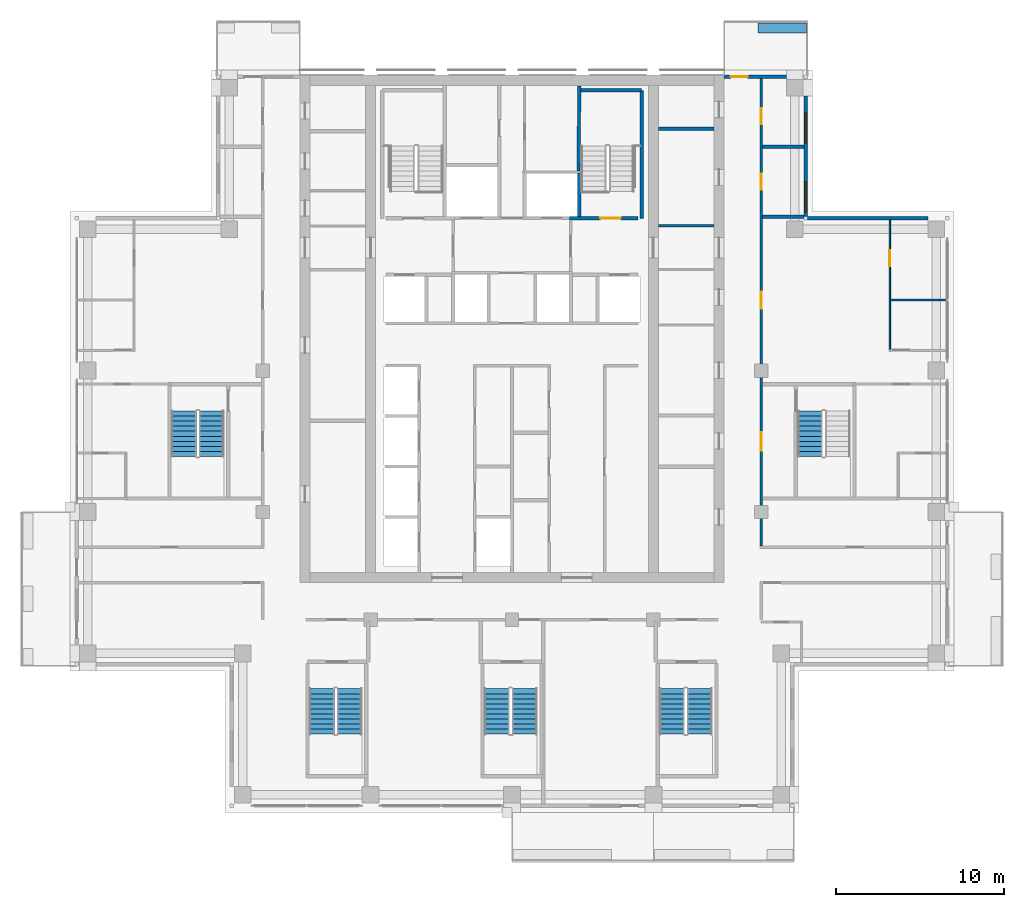
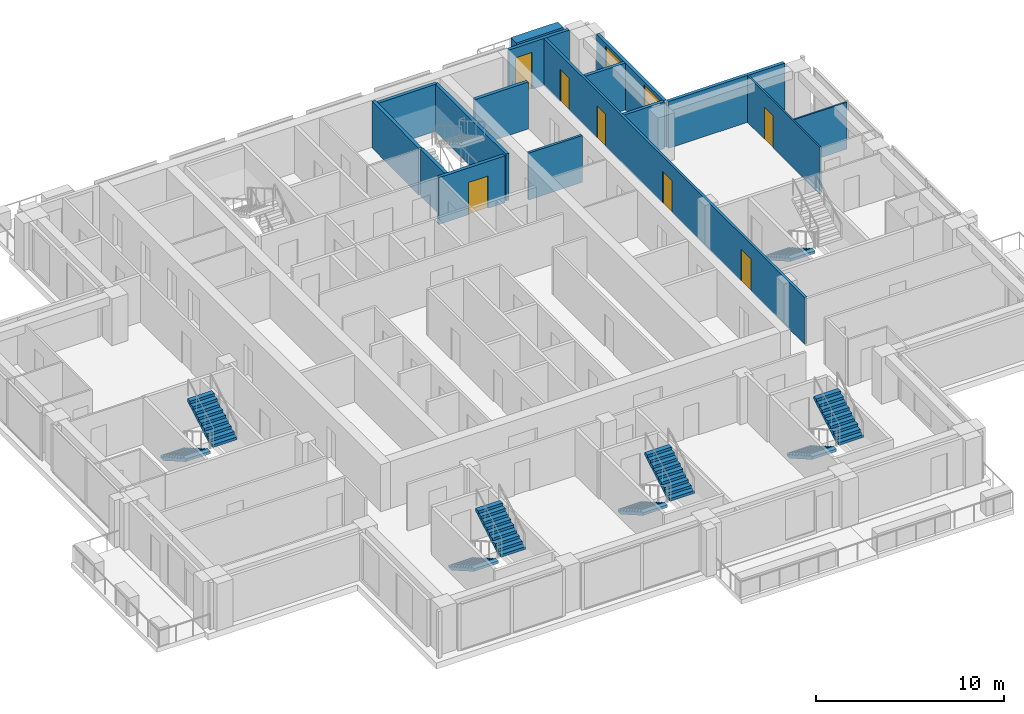
# One storey, part 13 of 17: 16 walls, 9 stair flights, 7 doors, 2 windows, 9 openings, 5 elements without a shape of their own.
"""IFC4 building model written with IfcOpenShell, lengths in metres."""

from ifc_helpers import new_model, si_unit, direction, frame, frame_2d, origin, place, context, subcontext, project, spatial, polyline, rectangle, outline, extrude, material, layer, layer_set, type_object, element, fill, aggregate, save


model = new_model("IFC4")

# Units and contexts
model_context = context("Model", 3, precision=1e-05, world=origin(), true_north=direction((0.0, 1.0)))
body_context = subcontext(model_context, "Body", "Model", "MODEL_VIEW")
ifc_project = project(units=[si_unit("LENGTHUNIT", "METRE"), si_unit("AREAUNIT", "SQUARE_METRE"), si_unit("VOLUMEUNIT", "CUBIC_METRE"), si_unit("PLANEANGLEUNIT", "RADIAN"), si_unit("MASSUNIT", "GRAM", prefix="KILO")], contexts=[model_context])

# Site, building, storey
site_placement = place(None, origin())
site = spatial("IfcSite", under=ifc_project, at=site_placement, CompositionType="ELEMENT")
building_placement = place(site_placement, origin())
building = spatial("IfcBuilding", under=site, at=building_placement, Name="Vermilion Ogive Tower", CompositionType="ELEMENT")
storey_placement = place(building_placement, frame((0.0, 0.0, 189.35009765625)))
storey = spatial("IfcBuildingStorey", under=building, at=storey_placement, Name="L49", CompositionType="ELEMENT", Elevation=189.35009765625)

# Wall
ifc_material_1 = material(Name="Gypsum board partition on steel studs", Category="steel")
ifc_layer_1 = layer(ifc_material_1, 0.10009765625)
ifc_layer_set_1 = layer_set([ifc_layer_1], Name="Partition 100 inner")
wall_type_1 = type_object("IfcWallType", Name="Partition 100 inner", PredefinedType="PARTITIONING", material=ifc_layer_set_1)
wall_1_placement = place(storey_placement, frame((22.5, 8.39990234375, 0.0), z_axis=(0.0, 0.0, 1.0), x_axis=(1.0, 0.0, 0.0)))
element("IfcWall", 1, at=wall_1_placement, inside=storey, type_object=wall_type_1, Name="L49-W-W024", PredefinedType="PARTITIONING", context=body_context, shape_type="SweptSolid", body=[
    extrude(rectangle(XDim=3.25, YDim=0.10009765625, at=frame_2d((1.625, 0.0))), origin(), (0.0, 0.0, 1.0), 3.0498046875),
])

# Wall, opening, door
wall_2_placement = place(storey_placement, frame((22.449951171875, 5.449951171875, 0.0), z_axis=(0.0, 0.0, 1.0), x_axis=(0.0, 1.0, 0.0)))
wall_2 = element("IfcWall", 2, at=wall_2_placement, inside=storey, type_object=wall_type_1, Name="L49-W-W046", PredefinedType="PARTITIONING", context=body_context, shape_type="SweptSolid", body=[
    extrude(rectangle(XDim=7.699951171875, YDim=0.10009765625, at=frame_2d((3.85009765625, 0.0))), origin(), (0.0, 0.0, 1.0), 3.0498046875),
])
opening_1_placement = place(wall_2_placement, frame((4.949951171875, 0.0, 0.0)))
opening_1 = element("IfcOpeningElement", 3, at=opening_1_placement, cuts=wall_2, Name="Opening D4G2014", PredefinedType="OPENING", context=body_context, shape_type="SweptSolid", body=[
    extrude(rectangle(XDim=0.949951171875, YDim=2.10009765625, at=frame_2d((0.47509765625, 1.050048828125))), frame((0.0, 0.06005859375, 0.0), z_axis=(0.0, -1.0, 0.0), x_axis=(1.0, 0.0, 0.0)), (0.0, 0.0, 1.0), 0.1201171875),
])
ifc_material_2 = material(Name="Timber door leaf", Category="wood")
door_type_1 = type_object("IfcDoorType", Name="Inner door 950 x 2100 FD30", OperationType="SINGLE_SWING_LEFT", PredefinedType="DOOR", material=ifc_material_2)
door_1_placement = place(opening_1_placement, origin())
door_1 = element("IfcDoor", 4, at=door_1_placement, inside=storey, type_object=door_type_1, Name="L49-D-D014", OperationType="SINGLE_SWING_LEFT", OverallHeight=2.10009765625, OverallWidth=0.949951171875, PredefinedType="DOOR", context=body_context, shape_type="SweptSolid", body=[
    extrude(rectangle(XDim=0.949951171875, YDim=2.10009765625, at=frame_2d((0.47509765625, 1.050048828125))), frame((0.0, 0.02490234375, 0.0), z_axis=(0.0, -1.0, 0.0), x_axis=(1.0, 0.0, 0.0)), (0.0, 0.0, 1.0), 0.050048828125),
])
fill(opening_1, door_1)

# Wall, openings, doors
ifc_material_3 = material(Name="Gypsum board partition on steel studs", Category="steel")
ifc_layer_2 = layer(ifc_material_3, 0.14990234375)
ifc_layer_set_2 = layer_set([ifc_layer_2], Name="Partition 150 corridor")
wall_type_2 = type_object("IfcWallType", Name="Partition 150 corridor", PredefinedType="PARTITIONING", material=ifc_layer_set_2)
wall_3_placement = place(storey_placement, frame((14.800048828125, -6.22509765625, 0.0), z_axis=(0.0, 0.0, 1.0), x_axis=(0.0, 1.0, 0.0)))
wall_3 = element("IfcWall", 5, at=wall_3_placement, inside=storey, type_object=wall_type_2, Name="L49-W-W042", PredefinedType="PARTITIONING", context=body_context, shape_type="SweptSolid", body=[
    extrude(rectangle(XDim=27.775146484375, YDim=0.14990234375, at=frame_2d((13.8876953125, 0.0))), origin(), (0.0, 0.0, 1.0), 3.0498046875),
])
opening_2_placement = place(wall_3_placement, frame((14.10009765625, 0.0, 0.0)))
opening_2 = element("IfcOpeningElement", 6, at=opening_2_placement, cuts=wall_3, Name="Opening D4G2015", PredefinedType="OPENING", context=body_context, shape_type="SweptSolid", body=[
    extrude(rectangle(XDim=1.0, YDim=2.10009765625, at=frame_2d((0.5, 1.050048828125))), frame((0.0, 0.0849609375, 0.0), z_axis=(0.0, -1.0, 0.0), x_axis=(1.0, 0.0, 0.0)), (0.0, 0.0, 1.0), 0.169921875),
])
opening_3_placement = place(wall_3_placement, frame((21.175048828125, 0.0, 0.0)))
opening_3 = element("IfcOpeningElement", 7, at=opening_3_placement, cuts=wall_3, Name="Opening D4G2018", PredefinedType="OPENING", context=body_context, shape_type="SweptSolid", body=[
    extrude(rectangle(XDim=0.949951171875, YDim=2.10009765625, at=frame_2d((0.47509765625, 1.050048828125))), frame((0.0, 0.0849609375, 0.0), z_axis=(0.0, -1.0, 0.0), x_axis=(1.0, 0.0, 0.0)), (0.0, 0.0, 1.0), 0.169921875),
])
opening_4_placement = place(wall_3_placement, frame((25.0751953125, 0.0, 0.0)))
opening_4 = element("IfcOpeningElement", 8, at=opening_4_placement, cuts=wall_3, Name="Opening D4G2019", PredefinedType="OPENING", context=body_context, shape_type="SweptSolid", body=[
    extrude(rectangle(XDim=0.949951171875, YDim=2.10009765625, at=frame_2d((0.47509765625, 1.050048828125))), frame((0.0, 0.0849609375, 0.0), z_axis=(0.0, -1.0, 0.0), x_axis=(1.0, 0.0, 0.0)), (0.0, 0.0, 1.0), 0.169921875),
])
opening_5_placement = place(wall_3_placement, frame((5.675048828125, 0.0, 0.0)))
opening_5 = element("IfcOpeningElement", 9, at=opening_5_placement, cuts=wall_3, Name="Opening D4G2026", PredefinedType="OPENING", context=body_context, shape_type="SweptSolid", body=[
    extrude(rectangle(XDim=1.10009765625, YDim=2.10009765625, at=frame_2d((0.550048828125, 1.050048828125))), frame((0.0, 0.0849609375, 0.0), z_axis=(0.0, -1.0, 0.0), x_axis=(1.0, 0.0, 0.0)), (0.0, 0.0, 1.0), 0.169921875),
])
ifc_material_4 = material(Name="Timber door leaf", Category="wood")
door_type_2 = type_object("IfcDoorType", Name="Stair door 1100 x 2100 FD60S", OperationType="SINGLE_SWING_LEFT", PredefinedType="DOOR", material=ifc_material_4)
door_2_placement = place(opening_5_placement, origin())
door_2 = element("IfcDoor", 10, at=door_2_placement, inside=storey, type_object=door_type_2, Name="L49-D-D026", OperationType="SINGLE_SWING_LEFT", OverallHeight=2.10009765625, OverallWidth=1.10009765625, PredefinedType="DOOR", context=body_context, shape_type="SweptSolid", body=[
    extrude(rectangle(XDim=1.10009765625, YDim=2.10009765625, at=frame_2d((0.550048828125, 1.050048828125))), frame((0.0, 0.02490234375, 0.0), z_axis=(0.0, -1.0, 0.0), x_axis=(1.0, 0.0, 0.0)), (0.0, 0.0, 1.0), 0.050048828125),
])
fill(opening_5, door_2)
ifc_material_5 = material(Name="Timber door leaf", Category="wood")
door_type_3 = type_object("IfcDoorType", Name="Unit door 1000 x 2100 FD30S", OperationType="SINGLE_SWING_LEFT", PredefinedType="DOOR", material=ifc_material_5)
door_3_placement = place(opening_2_placement, origin())
door_3 = element("IfcDoor", 11, at=door_3_placement, inside=storey, type_object=door_type_3, Name="L49-D-D015", OperationType="SINGLE_SWING_RIGHT", OverallHeight=2.10009765625, OverallWidth=1.0, PredefinedType="DOOR", context=body_context, shape_type="SweptSolid", body=[
    extrude(rectangle(XDim=1.0, YDim=2.10009765625, at=frame_2d((0.5, 1.050048828125))), frame((0.0, 0.02490234375, 0.0), z_axis=(0.0, -1.0, 0.0), x_axis=(1.0, 0.0, 0.0)), (0.0, 0.0, 1.0), 0.050048828125),
])
fill(opening_2, door_3)
ifc_material_6 = material(Name="Timber door leaf", Category="wood")
door_type_4 = type_object("IfcDoorType", Name="Unit door 950 x 2100 FD30S", OperationType="SINGLE_SWING_LEFT", PredefinedType="DOOR", material=ifc_material_6)
door_4_placement = place(opening_3_placement, origin())
door_4 = element("IfcDoor", 12, at=door_4_placement, inside=storey, type_object=door_type_4, Name="L49-D-D018", OperationType="SINGLE_SWING_LEFT", OverallHeight=2.10009765625, OverallWidth=0.949951171875, PredefinedType="DOOR", context=body_context, shape_type="SweptSolid", body=[
    extrude(rectangle(XDim=0.949951171875, YDim=2.10009765625, at=frame_2d((0.47509765625, 1.050048828125))), frame((0.0, 0.02490234375, 0.0), z_axis=(0.0, -1.0, 0.0), x_axis=(1.0, 0.0, 0.0)), (0.0, 0.0, 1.0), 0.050048828125),
])
fill(opening_3, door_4)
door_5_placement = place(opening_4_placement, origin())
door_5 = element("IfcDoor", 13, at=door_5_placement, inside=storey, type_object=door_type_4, Name="L49-D-D019", OperationType="SINGLE_SWING_RIGHT", OverallHeight=2.10009765625, OverallWidth=0.949951171875, PredefinedType="DOOR", context=body_context, shape_type="SweptSolid", body=[
    extrude(rectangle(XDim=0.949951171875, YDim=2.10009765625, at=frame_2d((0.47509765625, 1.050048828125))), frame((0.0, 0.02490234375, 0.0), z_axis=(0.0, -1.0, 0.0), x_axis=(1.0, 0.0, 0.0)), (0.0, 0.0, 1.0), 0.050048828125),
])
fill(opening_4, door_5)

# Walls
wall_4_placement = place(storey_placement, frame((8.700927734375, 12.800048828125, 0.0), z_axis=(0.0, 0.0, 1.0), x_axis=(1.0, 0.0, 0.0)))
element("IfcWall", 14, at=wall_4_placement, inside=storey, type_object=wall_type_2, Name="L49-CKE-W-W005", PredefinedType="PARTITIONING", context=body_context, shape_type="SweptSolid", body=[
    extrude(rectangle(XDim=3.298095703125, YDim=0.14990234375, at=frame_2d((1.64892578125, 0.0))), origin(), (0.0, 0.0, 1.0), 3.0498046875),
])
ifc_material_7 = material(Name="Gypsum board partition on steel studs", Category="steel")
ifc_layer_3 = layer(ifc_material_7, 0.199951171875)
ifc_layer_set_3 = layer_set([ifc_layer_3], Name="Partition 200 party")
wall_type_3 = type_object("IfcWallType", Name="Partition 200 party", PredefinedType="PARTITIONING", material=ifc_layer_set_3)
for number, where, z_axis, x_axis, name in (
    (15, (14.875, 13.35009765625, 0.0), (0.0, 0.0, 1.0), (1.0, 0.0, 0.0), "L49-W-W026"),
    (16, (14.875, 17.5, 0.0), (0.0, 0.0, 1.0), (1.0, 0.0, 0.0), "L49-W-W028"),
):
    element("IfcWall", number, at=place(storey_placement, frame(where, z_axis=z_axis, x_axis=x_axis)), inside=storey, type_object=wall_type_3, Name=name, PredefinedType="PARTITIONING", context=body_context, shape_type="SweptSolid", body=[
        extrude(rectangle(XDim=2.47509765625, YDim=0.199951171875, at=frame_2d((1.237548828125, 0.0))), origin(), (0.0, 0.0, 1.0), 3.0498046875),
    ])
wall_5_placement = place(storey_placement, frame((8.700927734375, 18.56005859375, 0.0), z_axis=(0.0, 0.0, 1.0), x_axis=(1.0, 0.0, 0.0)))
element("IfcWall", 17, at=wall_5_placement, inside=storey, type_object=wall_type_3, Name="L49-CKE-W-W006", PredefinedType="PARTITIONING", context=body_context, shape_type="SweptSolid", body=[
    extrude(rectangle(XDim=3.298095703125, YDim=0.199951171875, at=frame_2d((1.64892578125, 0.0))), origin(), (0.0, 0.0, 1.0), 3.0498046875),
])

# Wall, opening, door
ifc_material_8 = material(Name="Concrete B60", Category="concrete")
ifc_layer_4 = layer(ifc_material_8, 0.199951171875)
ifc_layer_set_4 = layer_set([ifc_layer_4], Name="Stair shaft wall 200 Concrete B60")
wall_type_4 = type_object("IfcWallType", Name="Stair shaft wall 200 Concrete B60", PredefinedType="SOLIDWALL", material=ifc_layer_set_4)
wall_6_placement = place(storey_placement, frame((3.425048828125, 13.25, 0.0), z_axis=(0.0, 0.0, 1.0), x_axis=(1.0, 0.0, 0.0)))
wall_6 = element("IfcWall", 18, at=wall_6_placement, inside=storey, type_object=wall_type_4, Name="L49-CK-W-W017", PredefinedType="SOLIDWALL", context=body_context, shape_type="SweptSolid", body=[
    extrude(rectangle(XDim=4.074951171875, YDim=0.199951171875, at=frame_2d((2.03759765625, 0.0))), origin(), (0.0, 0.0, 1.0), 3.0498046875),
])
opening_6_placement = place(wall_6_placement, frame((1.824951171875, 0.0, 0.0)))
opening_6 = element("IfcOpeningElement", 19, at=opening_6_placement, cuts=wall_6, Name="Opening DAA433", PredefinedType="OPENING", context=body_context, shape_type="SweptSolid", body=[
    extrude(rectangle(XDim=1.199951171875, YDim=2.10009765625, at=frame_2d((0.60009765625, 1.050048828125))), frame((0.0, 0.10986328125, 0.0), z_axis=(0.0, -1.0, 0.0), x_axis=(1.0, 0.0, 0.0)), (0.0, 0.0, 1.0), 0.219970703125),
])
ifc_material_9 = material(Name="Timber door leaf", Category="wood")
door_type_5 = type_object("IfcDoorType", Name="Stair door 1200 x 2100 FD60S", OperationType="SINGLE_SWING_LEFT", PredefinedType="DOOR", material=ifc_material_9)
door_6_placement = place(opening_6_placement, origin())
door_6 = element("IfcDoor", 20, at=door_6_placement, inside=storey, type_object=door_type_5, Name="L49-CK-D-D014", OperationType="SINGLE_SWING_RIGHT", OverallHeight=2.10009765625, OverallWidth=1.199951171875, PredefinedType="DOOR", context=body_context, shape_type="SweptSolid", body=[
    extrude(rectangle(XDim=1.199951171875, YDim=2.10009765625, at=frame_2d((0.60009765625, 1.050048828125))), frame((0.0, 0.02490234375, 0.0), z_axis=(0.0, -1.0, 0.0), x_axis=(1.0, 0.0, 0.0)), (0.0, 0.0, 1.0), 0.050048828125),
])
fill(opening_6, door_6)

# Walls
wall_7_placement = place(storey_placement, frame((4.0, 13.35009765625, 0.0), z_axis=(0.0, 0.0, 1.0), x_axis=(0.0, 1.0, 0.0)))
element("IfcWall", 21, at=wall_7_placement, inside=storey, type_object=wall_type_4, Name="L49-CK-W-W035", PredefinedType="SOLIDWALL", context=body_context, shape_type="SweptSolid", body=[
    extrude(rectangle(XDim=2.599853515625, YDim=0.199951171875, at=frame_2d((1.2998046875, 0.0))), origin(), (0.0, 0.0, 1.0), 3.0498046875),
])
wall_8_placement = place(storey_placement, frame((3.949951171875, 16.050048828125, 0.0), z_axis=(0.0, 0.0, 1.0), x_axis=(0.009911993103, 0.99995087499, 0.0)))
element("IfcWall", 22, at=wall_8_placement, inside=storey, type_object=wall_type_4, Name="L49-CK-W-W036", PredefinedType="SOLIDWALL", context=body_context, shape_type="SweptSolid", body=[
    extrude(rectangle(XDim=5.04931640625, YDim=0.199951171875, at=frame_2d((2.524658203125, 0.0))), origin(), (0.0, 0.0, 1.0), 3.0498046875),
])
wall_9_placement = place(storey_placement, frame((7.699951171875, 13.25, 0.0), z_axis=(0.0, 0.0, 1.0), x_axis=(0.0, 1.0, 0.0)))
element("IfcWall", 23, at=wall_9_placement, inside=storey, type_object=wall_type_4, Name="L49-SW-R022-E1", PredefinedType="SOLIDWALL", context=body_context, shape_type="SweptSolid", body=[
    extrude(rectangle(XDim=7.60009765625, YDim=0.199951171875, at=frame_2d((3.800048828125, 0.0))), origin(), (0.0, 0.0, 1.0), 3.0498046875),
])
wall_10_placement = place(storey_placement, frame((4.10009765625, 20.85009765625, 0.0), z_axis=(0.0, 0.0, 1.0), x_axis=(1.0, 0.0, 0.0)))
element("IfcWall", 24, at=wall_10_placement, inside=storey, type_object=wall_type_4, Name="L49-SW-R022-N1", PredefinedType="SOLIDWALL", context=body_context, shape_type="SweptSolid", body=[
    extrude(rectangle(XDim=3.599853515625, YDim=0.199951171875, at=frame_2d((1.7998046875, 0.0))), origin(), (0.0, 0.0, 1.0), 3.0498046875),
])
ifc_material_10 = material(Name="Concrete B40", Category="concrete")
ifc_layer_5 = layer(ifc_material_10, 0.60009765625)
ifc_layer_set_5 = layer_set([ifc_layer_5], Name="Structural planter")
wall_type_5 = type_object("IfcWallType", Name="Structural planter", PredefinedType="USERDEFINED", material=ifc_layer_set_5)
wall_11_placement = place(storey_placement, frame((17.489990234375, 24.550048828125, -0.0400390625), z_axis=(0.0, 0.0, 1.0), x_axis=(-1.0, 0.0, 0.0)))
element("IfcWall", 25, at=wall_11_placement, inside=storey, type_object=wall_type_5, Name="Planter N101A1", ObjectType="PLANTER", PredefinedType="USERDEFINED", context=body_context, shape_type="SweptSolid", body=[
    extrude(rectangle(XDim=2.889892578125, YDim=0.60009765625, at=frame_2d((1.44482421875, 0.0))), origin(), (0.0, 0.0, 1.0), 1.199951171875),
])
ifc_material_11 = material(Name="Aluminium window wall framing", Category="aluminium")
ifc_layer_6 = layer(ifc_material_11, 0.199951171875)
ifc_layer_set_6 = layer_set([ifc_layer_6], Name="Window wall")
wall_type_6 = type_object("IfcWallType", Name="Window wall", PredefinedType="STANDARD", material=ifc_layer_set_6)
wall_12_placement = place(storey_placement, frame((24.699951171875, 13.25, 0.0), z_axis=(0.0, 0.0, 1.0), x_axis=(-1.0, 0.0, 0.0)))
element("IfcWall", 26, at=wall_12_placement, inside=storey, type_object=wall_type_6, Name="Window wall X31", PredefinedType="STANDARD", context=body_context, shape_type="SweptSolid", body=[
    extrude(rectangle(XDim=7.14990234375, YDim=0.199951171875, at=frame_2d((3.574951171875, 0.0))), origin(), (0.0, 0.0, 1.0), 3.0498046875),
])

# Wall, openings, windows
wall_13_placement = place(storey_placement, frame((17.449951171875, 13.35009765625, 0.0), z_axis=(0.0, 0.0, 1.0), x_axis=(0.0, 1.0, 0.0)))
wall_13 = element("IfcWall", 27, at=wall_13_placement, inside=storey, type_object=wall_type_6, Name="Window wall X41", PredefinedType="STANDARD", context=body_context, shape_type="SweptSolid", body=[
    extrude(rectangle(XDim=7.14990234375, YDim=0.199951171875, at=frame_2d((3.574951171875, 0.0))), origin(), (0.0, 0.0, 1.0), 3.0498046875),
])
opening_7_placement = place(wall_13_placement, frame((0.27490234375, 0.0, 0.199951171875)))
opening_7 = element("IfcOpeningElement", 28, at=opening_7_placement, cuts=wall_13, Name="Opening W1-X403", PredefinedType="OPENING", context=body_context, shape_type="SweptSolid", body=[
    extrude(rectangle(XDim=1.800048828125, YDim=2.64990234375, at=frame_2d((0.89990234375, 1.324951171875))), frame((0.0, 0.10986328125, 0.0), z_axis=(0.0, -1.0, 0.0), x_axis=(1.0, 0.0, 0.0)), (0.0, 0.0, 1.0), 0.219970703125),
])
opening_8_placement = place(wall_13_placement, frame((4.3701171875, 0.0, 0.199951171875)))
opening_8 = element("IfcOpeningElement", 29, at=opening_8_placement, cuts=wall_13, Name="Opening W1-X404", PredefinedType="OPENING", context=body_context, shape_type="SweptSolid", body=[
    extrude(rectangle(XDim=1.800048828125, YDim=2.64990234375, at=frame_2d((0.89990234375, 1.324951171875))), frame((0.0, 0.10986328125, 0.0), z_axis=(0.0, -1.0, 0.0), x_axis=(1.0, 0.0, 0.0)), (0.0, 0.0, 1.0), 0.219970703125),
])
ifc_material_12 = material(Name="Aluminium framed double glazing", Category="aluminium")
window_type = type_object("IfcWindowType", Name="Guest window W1", PartitioningType="SINGLE_PANEL", PredefinedType="WINDOW", material=ifc_material_12)
window_1_placement = place(opening_7_placement, origin())
window_1 = element("IfcWindow", 30, at=window_1_placement, inside=storey, type_object=window_type, Name="Window X403", OverallHeight=2.64990234375, OverallWidth=1.800048828125, PartitioningType="SINGLE_PANEL", PredefinedType="WINDOW", context=body_context, shape_type="SweptSolid", body=[
    extrude(rectangle(XDim=1.800048828125, YDim=2.64990234375, at=frame_2d((0.89990234375, 1.324951171875))), frame((0.0, 0.030029296875, 0.0), z_axis=(0.0, -1.0, 0.0), x_axis=(1.0, 0.0, 0.0)), (0.0, 0.0, 1.0), 0.06005859375),
])
fill(opening_7, window_1)
window_2_placement = place(opening_8_placement, origin())
window_2 = element("IfcWindow", 31, at=window_2_placement, inside=storey, type_object=window_type, Name="Window X404", OverallHeight=2.64990234375, OverallWidth=1.800048828125, PartitioningType="SINGLE_PANEL", PredefinedType="WINDOW", context=body_context, shape_type="SweptSolid", body=[
    extrude(rectangle(XDim=1.800048828125, YDim=2.64990234375, at=frame_2d((0.89990234375, 1.324951171875))), frame((0.0, 0.030029296875, 0.0), z_axis=(0.0, -1.0, 0.0), x_axis=(1.0, 0.0, 0.0)), (0.0, 0.0, 1.0), 0.06005859375),
])
fill(opening_8, window_2)

# Wall, opening, door
wall_14_placement = place(storey_placement, frame((16.300048828125, 21.64990234375, 0.0), z_axis=(0.0, 0.0, 1.0), x_axis=(-1.0, 0.0, 0.0)))
wall_14 = element("IfcWall", 32, at=wall_14_placement, inside=storey, type_object=wall_type_6, Name="Window wall N11", PredefinedType="STANDARD", context=body_context, shape_type="SweptSolid", body=[
    extrude(rectangle(XDim=3.699951171875, YDim=0.199951171875, at=frame_2d((1.85009765625, 0.0))), origin(), (0.0, 0.0, 1.0), 3.0498046875),
])
opening_9_placement = place(wall_14_placement, frame((2.300048828125, 0.0, 0.0)))
opening_9 = element("IfcOpeningElement", 33, at=opening_9_placement, cuts=wall_14, Name="Opening D1-N103", PredefinedType="OPENING", context=body_context, shape_type="SweptSolid", body=[
    extrude(rectangle(XDim=1.0, YDim=2.39990234375, at=frame_2d((0.5, 1.199951171875))), frame((0.0, 0.10986328125, 0.0), z_axis=(0.0, -1.0, 0.0), x_axis=(1.0, 0.0, 0.0)), (0.0, 0.0, 1.0), 0.219970703125),
])
ifc_material_13 = material(Name="Aluminium framed glazed door", Category="aluminium")
door_type_6 = type_object("IfcDoorType", Name="Balcony door D1", OperationType="SINGLE_SWING_LEFT", PredefinedType="DOOR", material=ifc_material_13)
door_7_placement = place(opening_9_placement, origin())
door_7 = element("IfcDoor", 34, at=door_7_placement, inside=storey, type_object=door_type_6, Name="Balcony door N103", OperationType="SINGLE_SWING_LEFT", OverallHeight=2.39990234375, OverallWidth=1.0, PredefinedType="DOOR", context=body_context, shape_type="SweptSolid", body=[
    extrude(rectangle(XDim=1.0, YDim=2.39990234375, at=frame_2d((0.5, 1.199951171875))), frame((0.0, 0.02490234375, 0.0), z_axis=(0.0, -1.0, 0.0), x_axis=(1.0, 0.0, 0.0)), (0.0, 0.0, 1.0), 0.050048828125),
])
fill(opening_9, door_7)

# Stair, stair flights
ifc_material_14 = material(Name="Concrete B40", Category="concrete")
stair_type = type_object("IfcStairType", Name="Exit stair 1500", PredefinedType="HALF_TURN_STAIR", material=ifc_material_14)
stair_1_placement = place(storey_placement, origin())
stair_1 = element("IfcStair", 35, at=stair_1_placement, inside=storey, type_object=stair_type, Name="L49 Exit Stair ST3", PredefinedType="HALF_TURN_STAIR")
ifc_material_15 = material(Name="Concrete B40", Category="concrete")
stair_flight_type = type_object("IfcStairFlightType", Name="Stair flight 1500", PredefinedType="STRAIGHT", material=ifc_material_15)
stair_flight_1_placement = place(storey_placement, frame((-11.300048828125, -14.699951171875, 0.0), z_axis=(0.0, 0.0, 1.0), x_axis=(0.0, -1.0, 0.0)))
stair_flight_1 = element("IfcStairFlight", 36, at=stair_flight_1_placement, type_object=stair_flight_type, Name="ST3 flight 1", NumberOfRisers=10, NumberOfTreads=9, PredefinedType="STRAIGHT", RiserHeight=0.1725, TreadLength=0.3, context=body_context, shape_type="SweptSolid", body=[
    extrude(outline(polyline([(0.0, 0.0), (0.0, 0.172607421875), (0.300048828125, 0.172607421875), (0.300048828125, 0.344970703125), (0.60009765625, 0.344970703125), (0.60009765625, 0.517578125), (0.89990234375, 0.517578125), (0.89990234375, 0.68994140625), (1.199951171875, 0.68994140625), (1.199951171875, 0.862548828125), (1.5, 0.862548828125), (1.5, 1.034912109375), (1.800048828125, 1.034912109375), (1.800048828125, 1.20751953125), (2.10009765625, 1.20751953125), (2.10009765625, 1.3798828125), (2.39990234375, 1.3798828125), (2.39990234375, 1.552490234375), (2.699951171875, 1.552490234375), (2.699951171875, 1.72509765625), (2.699951171875, 1.379638671875), (0.30078125, 0.0), (0.0, 0.0)])), frame((0.0, 0.75, 0.0), z_axis=(0.0, -1.0, 0.0), x_axis=(1.0, 0.0, 0.0)), (0.0, 0.0, 1.0), 1.5),
])
stair_flight_2_placement = place(storey_placement, frame((-9.64990234375, -17.39990234375, 1.724853515625), z_axis=(0.0, 0.0, 1.0), x_axis=(0.0, 1.0, 0.0)))
stair_flight_2 = element("IfcStairFlight", 37, at=stair_flight_2_placement, type_object=stair_flight_type, Name="ST3 flight 2", NumberOfRisers=10, NumberOfTreads=9, PredefinedType="STRAIGHT", RiserHeight=0.1725, TreadLength=0.3, context=body_context, shape_type="SweptSolid", body=[
    extrude(outline(polyline([(0.0, 0.0), (0.0, 0.172607421875), (0.300048828125, 0.172607421875), (0.300048828125, 0.344970703125), (0.60009765625, 0.344970703125), (0.60009765625, 0.517578125), (0.89990234375, 0.517578125), (0.89990234375, 0.68994140625), (1.199951171875, 0.68994140625), (1.199951171875, 0.862548828125), (1.5, 0.862548828125), (1.5, 1.034912109375), (1.800048828125, 1.034912109375), (1.800048828125, 1.20751953125), (2.10009765625, 1.20751953125), (2.10009765625, 1.3798828125), (2.39990234375, 1.3798828125), (2.39990234375, 1.552490234375), (2.699951171875, 1.552490234375), (2.699951171875, 1.72509765625), (2.699951171875, 1.379638671875), (0.30078125, 0.0), (0.0, 0.0)])), frame((0.0, 0.75, 0.0), z_axis=(0.0, -1.0, 0.0), x_axis=(1.0, 0.0, 0.0)), (0.0, 0.0, 1.0), 1.5),
])
aggregate(stair_1, [stair_flight_1, stair_flight_2])

stair_2_placement = place(storey_placement, origin())
stair_2 = element("IfcStair", 38, at=stair_2_placement, inside=storey, type_object=stair_type, Name="L49 Exit Stair ST4", PredefinedType="HALF_TURN_STAIR")
stair_flight_3_placement = place(storey_placement, frame((-0.89990234375, -14.699951171875, 0.0), z_axis=(0.0, 0.0, 1.0), x_axis=(0.0, -1.0, 0.0)))
stair_flight_3 = element("IfcStairFlight", 39, at=stair_flight_3_placement, type_object=stair_flight_type, Name="ST4 flight 1", NumberOfRisers=10, NumberOfTreads=9, PredefinedType="STRAIGHT", RiserHeight=0.1725, TreadLength=0.3, context=body_context, shape_type="SweptSolid", body=[
    extrude(outline(polyline([(0.0, 0.0), (0.0, 0.172607421875), (0.300048828125, 0.172607421875), (0.300048828125, 0.344970703125), (0.60009765625, 0.344970703125), (0.60009765625, 0.517578125), (0.89990234375, 0.517578125), (0.89990234375, 0.68994140625), (1.199951171875, 0.68994140625), (1.199951171875, 0.862548828125), (1.5, 0.862548828125), (1.5, 1.034912109375), (1.800048828125, 1.034912109375), (1.800048828125, 1.20751953125), (2.10009765625, 1.20751953125), (2.10009765625, 1.3798828125), (2.39990234375, 1.3798828125), (2.39990234375, 1.552490234375), (2.699951171875, 1.552490234375), (2.699951171875, 1.72509765625), (2.699951171875, 1.379638671875), (0.30078125, 0.0), (0.0, 0.0)])), frame((0.0, 0.75, 0.0), z_axis=(0.0, -1.0, 0.0), x_axis=(1.0, 0.0, 0.0)), (0.0, 0.0, 1.0), 1.5),
])
stair_flight_4_placement = place(storey_placement, frame((0.75, -17.39990234375, 1.724853515625), z_axis=(0.0, 0.0, 1.0), x_axis=(0.0, 1.0, 0.0)))
stair_flight_4 = element("IfcStairFlight", 40, at=stair_flight_4_placement, type_object=stair_flight_type, Name="ST4 flight 2", NumberOfRisers=10, NumberOfTreads=9, PredefinedType="STRAIGHT", RiserHeight=0.1725, TreadLength=0.3, context=body_context, shape_type="SweptSolid", body=[
    extrude(outline(polyline([(0.0, 0.0), (0.0, 0.172607421875), (0.300048828125, 0.172607421875), (0.300048828125, 0.344970703125), (0.60009765625, 0.344970703125), (0.60009765625, 0.517578125), (0.89990234375, 0.517578125), (0.89990234375, 0.68994140625), (1.199951171875, 0.68994140625), (1.199951171875, 0.862548828125), (1.5, 0.862548828125), (1.5, 1.034912109375), (1.800048828125, 1.034912109375), (1.800048828125, 1.20751953125), (2.10009765625, 1.20751953125), (2.10009765625, 1.3798828125), (2.39990234375, 1.3798828125), (2.39990234375, 1.552490234375), (2.699951171875, 1.552490234375), (2.699951171875, 1.72509765625), (2.699951171875, 1.379638671875), (0.30078125, 0.0), (0.0, 0.0)])), frame((0.0, 0.75, 0.0), z_axis=(0.0, -1.0, 0.0), x_axis=(1.0, 0.0, 0.0)), (0.0, 0.0, 1.0), 1.5),
])
aggregate(stair_2, [stair_flight_3, stair_flight_4])

stair_3_placement = place(storey_placement, origin())
stair_3 = element("IfcStair", 41, at=stair_3_placement, inside=storey, type_object=stair_type, Name="L49 Exit Stair ST5", PredefinedType="HALF_TURN_STAIR")
stair_flight_5_placement = place(storey_placement, frame((9.5, -14.699951171875, 0.0), z_axis=(0.0, 0.0, 1.0), x_axis=(0.0, -1.0, 0.0)))
stair_flight_5 = element("IfcStairFlight", 42, at=stair_flight_5_placement, type_object=stair_flight_type, Name="ST5 flight 1", NumberOfRisers=10, NumberOfTreads=9, PredefinedType="STRAIGHT", RiserHeight=0.1725, TreadLength=0.3, context=body_context, shape_type="SweptSolid", body=[
    extrude(outline(polyline([(0.0, 0.0), (0.0, 0.172607421875), (0.300048828125, 0.172607421875), (0.300048828125, 0.344970703125), (0.60009765625, 0.344970703125), (0.60009765625, 0.517578125), (0.89990234375, 0.517578125), (0.89990234375, 0.68994140625), (1.199951171875, 0.68994140625), (1.199951171875, 0.862548828125), (1.5, 0.862548828125), (1.5, 1.034912109375), (1.800048828125, 1.034912109375), (1.800048828125, 1.20751953125), (2.10009765625, 1.20751953125), (2.10009765625, 1.3798828125), (2.39990234375, 1.3798828125), (2.39990234375, 1.552490234375), (2.699951171875, 1.552490234375), (2.699951171875, 1.72509765625), (2.699951171875, 1.379638671875), (0.30078125, 0.0), (0.0, 0.0)])), frame((0.0, 0.75, 0.0), z_axis=(0.0, -1.0, 0.0), x_axis=(1.0, 0.0, 0.0)), (0.0, 0.0, 1.0), 1.5),
])
stair_flight_6_placement = place(storey_placement, frame((11.14990234375, -17.39990234375, 1.724853515625), z_axis=(0.0, 0.0, 1.0), x_axis=(0.0, 1.0, 0.0)))
stair_flight_6 = element("IfcStairFlight", 43, at=stair_flight_6_placement, type_object=stair_flight_type, Name="ST5 flight 2", NumberOfRisers=10, NumberOfTreads=9, PredefinedType="STRAIGHT", RiserHeight=0.1725, TreadLength=0.3, context=body_context, shape_type="SweptSolid", body=[
    extrude(outline(polyline([(0.0, 0.0), (0.0, 0.172607421875), (0.300048828125, 0.172607421875), (0.300048828125, 0.344970703125), (0.60009765625, 0.344970703125), (0.60009765625, 0.517578125), (0.89990234375, 0.517578125), (0.89990234375, 0.68994140625), (1.199951171875, 0.68994140625), (1.199951171875, 0.862548828125), (1.5, 0.862548828125), (1.5, 1.034912109375), (1.800048828125, 1.034912109375), (1.800048828125, 1.20751953125), (2.10009765625, 1.20751953125), (2.10009765625, 1.3798828125), (2.39990234375, 1.3798828125), (2.39990234375, 1.552490234375), (2.699951171875, 1.552490234375), (2.699951171875, 1.72509765625), (2.699951171875, 1.379638671875), (0.30078125, 0.0), (0.0, 0.0)])), frame((0.0, 0.75, 0.0), z_axis=(0.0, -1.0, 0.0), x_axis=(1.0, 0.0, 0.0)), (0.0, 0.0, 1.0), 1.5),
])
aggregate(stair_3, [stair_flight_5, stair_flight_6])

# Stair, stair flight
stair_4_placement = place(storey_placement, origin())
stair_4 = element("IfcStair", 44, at=stair_4_placement, inside=storey, type_object=stair_type, Name="L49 Exit Stair ST8", PredefinedType="HALF_TURN_STAIR")
stair_flight_7_placement = place(storey_placement, frame((17.699951171875, 1.800048828125, 0.0), z_axis=(0.0, 0.0, 1.0), x_axis=(0.0, -1.0, 0.0)))
stair_flight_7 = element("IfcStairFlight", 45, at=stair_flight_7_placement, type_object=stair_flight_type, Name="ST8 flight 1", NumberOfRisers=10, NumberOfTreads=9, PredefinedType="STRAIGHT", RiserHeight=0.1725, TreadLength=0.3, context=body_context, shape_type="SweptSolid", body=[
    extrude(outline(polyline([(0.0, 0.0), (0.0, 0.172607421875), (0.300048828125, 0.172607421875), (0.300048828125, 0.344970703125), (0.60009765625, 0.344970703125), (0.60009765625, 0.517578125), (0.89990234375, 0.517578125), (0.89990234375, 0.68994140625), (1.199951171875, 0.68994140625), (1.199951171875, 0.862548828125), (1.5, 0.862548828125), (1.5, 1.034912109375), (1.800048828125, 1.034912109375), (1.800048828125, 1.20751953125), (2.10009765625, 1.20751953125), (2.10009765625, 1.3798828125), (2.39990234375, 1.3798828125), (2.39990234375, 1.552490234375), (2.699951171875, 1.552490234375), (2.699951171875, 1.72509765625), (2.699951171875, 1.379638671875), (0.30078125, 0.0), (0.0, 0.0)])), frame((0.0, 0.75, 0.0), z_axis=(0.0, -1.0, 0.0), x_axis=(1.0, 0.0, 0.0)), (0.0, 0.0, 1.0), 1.5),
])
aggregate(stair_4, [stair_flight_7])

# Stair, stair flights
stair_5_placement = place(storey_placement, origin())
stair_5 = element("IfcStair", 46, at=stair_5_placement, inside=storey, type_object=stair_type, Name="L49 Exit Stair ST9", PredefinedType="HALF_TURN_STAIR")
stair_flight_8_placement = place(storey_placement, frame((-19.5, 1.800048828125, 0.0), z_axis=(0.0, 0.0, 1.0), x_axis=(0.0, -1.0, 0.0)))
stair_flight_8 = element("IfcStairFlight", 47, at=stair_flight_8_placement, type_object=stair_flight_type, Name="ST9 flight 1", NumberOfRisers=10, NumberOfTreads=9, PredefinedType="STRAIGHT", RiserHeight=0.1725, TreadLength=0.3, context=body_context, shape_type="SweptSolid", body=[
    extrude(outline(polyline([(0.0, 0.0), (0.0, 0.172607421875), (0.300048828125, 0.172607421875), (0.300048828125, 0.344970703125), (0.60009765625, 0.344970703125), (0.60009765625, 0.517578125), (0.89990234375, 0.517578125), (0.89990234375, 0.68994140625), (1.199951171875, 0.68994140625), (1.199951171875, 0.862548828125), (1.5, 0.862548828125), (1.5, 1.034912109375), (1.800048828125, 1.034912109375), (1.800048828125, 1.20751953125), (2.10009765625, 1.20751953125), (2.10009765625, 1.3798828125), (2.39990234375, 1.3798828125), (2.39990234375, 1.552490234375), (2.699951171875, 1.552490234375), (2.699951171875, 1.72509765625), (2.699951171875, 1.379638671875), (0.30078125, 0.0), (0.0, 0.0)])), frame((0.0, 0.75, 0.0), z_axis=(0.0, -1.0, 0.0), x_axis=(1.0, 0.0, 0.0)), (0.0, 0.0, 1.0), 1.5),
])
stair_flight_9_placement = place(storey_placement, frame((-17.85009765625, -0.89990234375, 1.724853515625), z_axis=(0.0, 0.0, 1.0), x_axis=(0.0, 1.0, 0.0)))
stair_flight_9 = element("IfcStairFlight", 48, at=stair_flight_9_placement, type_object=stair_flight_type, Name="ST9 flight 2", NumberOfRisers=10, NumberOfTreads=9, PredefinedType="STRAIGHT", RiserHeight=0.1725, TreadLength=0.3, context=body_context, shape_type="SweptSolid", body=[
    extrude(outline(polyline([(0.0, 0.0), (0.0, 0.172607421875), (0.300048828125, 0.172607421875), (0.300048828125, 0.344970703125), (0.60009765625, 0.344970703125), (0.60009765625, 0.517578125), (0.89990234375, 0.517578125), (0.89990234375, 0.68994140625), (1.199951171875, 0.68994140625), (1.199951171875, 0.862548828125), (1.5, 0.862548828125), (1.5, 1.034912109375), (1.800048828125, 1.034912109375), (1.800048828125, 1.20751953125), (2.10009765625, 1.20751953125), (2.10009765625, 1.3798828125), (2.39990234375, 1.3798828125), (2.39990234375, 1.552490234375), (2.699951171875, 1.552490234375), (2.699951171875, 1.72509765625), (2.699951171875, 1.379638671875), (0.30078125, 0.0), (0.0, 0.0)])), frame((0.0, 0.75, 0.0), z_axis=(0.0, -1.0, 0.0), x_axis=(1.0, 0.0, 0.0)), (0.0, 0.0, 1.0), 1.5),
])
aggregate(stair_5, [stair_flight_8, stair_flight_9])

save(model, "model.ifc")
